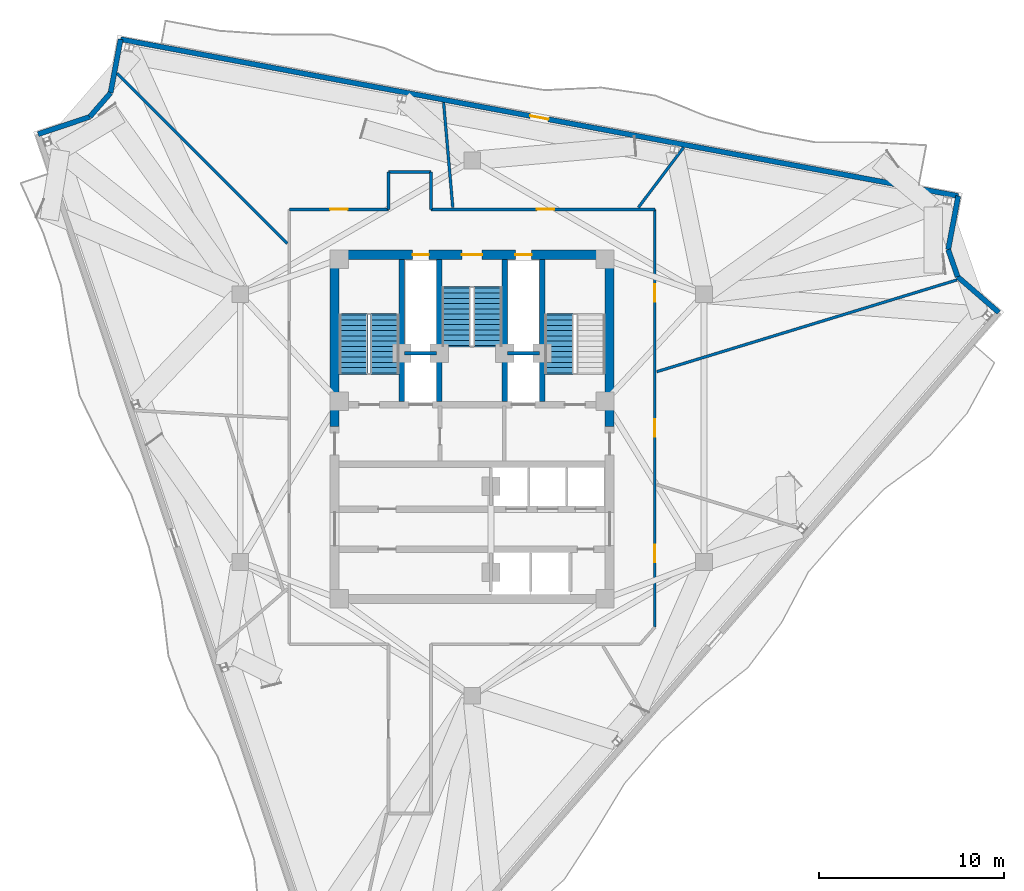
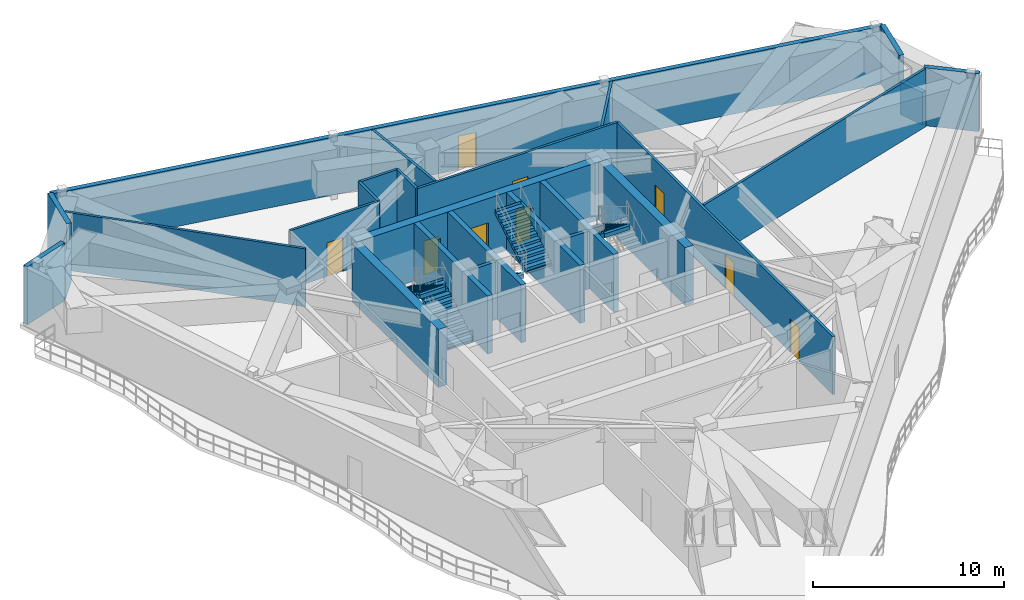
# One storey, part 6 of 10: 26 walls, 9 doors, 5 stair flights, 9 openings, 3 elements without a shape of their own.
"""IFC4 building model written with IfcOpenShell, lengths in metres."""

import ifcopenshell
import ifcopenshell.guid

model = None  # the IFC model being written
_history = None  # IfcOwnerHistory: only IFC2X3 demands one
_inside = {}  # id of a spatial element -> (the spatial element, [elements in it])
_under = {}  # id of a project, library or spatial element -> (it, [spatial elements below it])
_declared = {}  # id of a project -> (the project, [libraries it declares])
_typed = {}  # id of a type object -> (the type object, [elements of that type])
_made_of = {}  # id of a material, layer set ... -> (it, [elements and type objects made of it])


def new_model(schema):
    """Start an empty IFC model of exactly this schema.

    Asked for "IFC4X3", IfcOpenShell would pick the latest addendum, in which some entities
    have other attributes; the version numbers below select the first issue.
    IFC2X3 requires an IfcOwnerHistory on every rooted entity: one is made here for all.
    """
    global model, _history
    if schema == "IFC4X3":
        model = ifcopenshell.file(schema_version=(4, 3, 0, 0))
    else:
        model = ifcopenshell.file(schema=schema)
    _inside.clear()
    _under.clear()
    _declared.clear()
    _typed.clear()
    _made_of.clear()
    _history = None
    if model.schema == "IFC2X3":
        org = make("IfcOrganization", Name="unknown")
        user = make(
            "IfcPersonAndOrganization",
            ThePerson=make("IfcPerson", FamilyName="unknown"),
            TheOrganization=org,
        )
        app = make(
            "IfcApplication",
            ApplicationDeveloper=org,
            Version="unknown",
            ApplicationFullName="unknown",
            ApplicationIdentifier="unknown",
        )
        _history = make(
            "IfcOwnerHistory",
            OwningUser=user,
            OwningApplication=app,
            ChangeAction="ADDED",
            CreationDate=0,
        )
    return model


def make(cls, **values):
    """One entity of the class cls with the attributes given. An attribute that is None is left unset."""
    return model.create_entity(
        cls, **{name: value for name, value in values.items() if value is not None}
    )


def rooted(cls, **values):
    """An entity with a GlobalId (a new one), such as an element, a storey or a relation."""
    return make(cls, GlobalId=ifcopenshell.guid.new(), OwnerHistory=_history, **values)


def si_unit(unit_type, name, prefix=None):
    """IfcSIUnit, for example si_unit("LENGTHUNIT", "METRE", prefix="MILLI")."""
    return make("IfcSIUnit", UnitType=unit_type, Prefix=prefix, Name=name)


def assignment(units):
    """IfcUnitAssignment: the units of a project."""
    return None if units is None else make("IfcUnitAssignment", Units=units)


def point(xyz):
    """IfcCartesianPoint."""
    return None if xyz is None else make("IfcCartesianPoint", Coordinates=xyz)


def direction(xyz):
    """IfcDirection."""
    return None if xyz is None else make("IfcDirection", DirectionRatios=xyz)


def frame(location, z_axis=None, x_axis=None):
    """IfcAxis2Placement3D, a coordinate frame: its origin and axes. An axis left out is left unset."""
    return make(
        "IfcAxis2Placement3D",
        Location=point(location),
        Axis=direction(z_axis),
        RefDirection=direction(x_axis),
    )


def frame_2d(location, x_axis=None):
    """IfcAxis2Placement2D, a coordinate frame in the plane: its origin and x axis."""
    return make(
        "IfcAxis2Placement2D", Location=point(location), RefDirection=direction(x_axis)
    )


def origin():
    """The frame at (0, 0, 0) with its axes left unset."""
    return frame((0.0, 0.0, 0.0))


def place(relative_to, where):
    """IfcLocalPlacement: puts the frame where relative to a parent placement (None: the world)."""
    return make(
        "IfcLocalPlacement", PlacementRelTo=relative_to, RelativePlacement=where
    )


def context(
    kind, dimensions, precision=None, world=None, true_north=None, identifier=None
):
    """IfcGeometricRepresentationContext, for example the 3D "Model" context."""
    return make(
        "IfcGeometricRepresentationContext",
        ContextIdentifier=identifier,
        ContextType=kind,
        CoordinateSpaceDimension=dimensions,
        Precision=precision,
        WorldCoordinateSystem=world,
        TrueNorth=true_north,
    )


def subcontext(parent, identifier, kind, view, scale=None):
    """IfcGeometricRepresentationSubContext, for example "Body" below "Model"."""
    return make(
        "IfcGeometricRepresentationSubContext",
        ContextIdentifier=identifier,
        ContextType=kind,
        ParentContext=parent,
        TargetScale=scale,
        TargetView=view,
    )


def project(units=None, contexts=None):
    """IfcProject with its units and contexts."""
    return rooted(
        "IfcProject",
        Name="project",
        RepresentationContexts=contexts,
        UnitsInContext=assignment(units),
    )


def spatial(cls, under=None, at=None, **own):
    """A site, building, storey or space (cls), placed at a placement, below another one or the project."""
    s = rooted(cls, ObjectPlacement=at, **own)
    if under is not None:
        _under.setdefault(under.id(), (under, []))[1].append(s)
    return s


def polyline(points):
    """IfcPolyline through the points."""
    return make("IfcPolyline", Points=[point(p) for p in points])


def profile(cls, at=None, kind="AREA", **sizes):
    """A parametric profile (cls). Its sizes go by their IFC names, for example OverallWidth=200.0."""
    return make(cls, ProfileType=kind, Position=at, **sizes)


def rectangle(**sizes):
    """IfcRectangleProfileDef."""
    return profile("IfcRectangleProfileDef", **sizes)


def outline(outer, holes=None, kind="AREA"):
    """IfcArbitraryClosedProfileDef: a profile drawn as a closed curve; with holes, ...WithVoids."""
    if holes is None:
        return make("IfcArbitraryClosedProfileDef", ProfileType=kind, OuterCurve=outer)
    return make(
        "IfcArbitraryProfileDefWithVoids",
        ProfileType=kind,
        OuterCurve=outer,
        InnerCurves=holes,
    )


def extrude(swept, where, along, depth):
    """IfcExtrudedAreaSolid: the profile swept, set in the frame where, extruded along a direction by depth."""
    return make(
        "IfcExtrudedAreaSolid",
        SweptArea=swept,
        Position=where,
        ExtrudedDirection=direction(along),
        Depth=depth,
    )


def shape(context_of_items, identifier, shape_type, items):
    """IfcShapeRepresentation: the items that make up one representation, for example the "Body"."""
    return make(
        "IfcShapeRepresentation",
        ContextOfItems=context_of_items,
        RepresentationIdentifier=identifier,
        RepresentationType=shape_type,
        Items=items,
    )


def material(Name=None, Category=None):
    """IfcMaterial."""
    return make("IfcMaterial", Name=Name, Category=Category)


def layer(
    of_material, thickness, ventilated=None, Name=None, Category=None, Priority=None
):
    """IfcMaterialLayer: one layer of a wall or slab, of a material (None: an air gap)."""
    return make(
        "IfcMaterialLayer",
        Material=of_material,
        LayerThickness=thickness,
        IsVentilated=ventilated,
        Name=Name,
        Category=Category,
        Priority=Priority,
    )


def layer_set(layers, Name=None):
    """IfcMaterialLayerSet."""
    return make("IfcMaterialLayerSet", MaterialLayers=layers, LayerSetName=Name)


def made_of(thing, what):
    """Note that an element or type object is made of a material, layer set ...; save() writes the relation."""
    if what is not None:
        _made_of.setdefault(what.id(), (what, []))[1].append(thing)
    return thing


def type_object(cls, material=None, **own):
    """A type object (cls), such as IfcWallType, which elements share."""
    return made_of(rooted(cls, **own), material)


def element(
    cls,
    number,
    at=None,
    inside=None,
    cuts=None,
    type_object=None,
    material=None,
    context=None,
    identifier="Body",
    shape_type=None,
    held_by="IfcProductDefinitionShape",
    body=None,
    shapes=None,
    **own,
):
    """One element of the class cls, such as IfcWall. Its Tag is "e" and its number.

    at: its placement. inside: the storey or other place that contains it. cuts: it is an
    opening in that element (IfcRelVoidsElement). A single representation is given by context,
    identifier, shape_type and body (its items); several are given by shapes. held_by: the class
    of the entity that holds the representations. save() writes the other relations.
    """
    e = rooted(cls, Tag="e%d" % number, ObjectPlacement=at, **own)
    if body is not None:
        shapes = [shape(context, identifier, shape_type, body)]
    if shapes is not None:
        e.Representation = make(held_by, Representations=shapes)
    if inside is not None:
        _inside.setdefault(inside.id(), (inside, []))[1].append(e)
    if cuts is not None:
        rooted(
            "IfcRelVoidsElement", RelatingBuildingElement=cuts, RelatedOpeningElement=e
        )
    if type_object is not None:
        _typed.setdefault(type_object.id(), (type_object, []))[1].append(e)
    return made_of(e, material)


def fill(opening, filler):
    """IfcRelFillsElement: the door or window that sits in an opening."""
    return rooted(
        "IfcRelFillsElement",
        RelatingOpeningElement=opening,
        RelatedBuildingElement=filler,
    )


def aggregate(whole, parts):
    """IfcRelAggregates: a whole, such as a stair, and the parts it consists of."""
    return rooted("IfcRelAggregates", RelatingObject=whole, RelatedObjects=parts)


def save(model, path):
    """Write the relations noted so far, then the file.

    IfcRelAggregates (storeys below a building ...), IfcRelContainedInSpatialStructure (elements
    in a storey), IfcRelDefinesByType, IfcRelAssociatesMaterial and IfcRelDeclares: one each for
    every whole, place, type object, material and project.
    """
    for whole, parts in _under.values():
        aggregate(whole, parts)
    for where, things in _inside.values():
        rooted(
            "IfcRelContainedInSpatialStructure",
            RelatedElements=things,
            RelatingStructure=where,
        )
    for kind, things in _typed.values():
        rooted("IfcRelDefinesByType", RelatedObjects=things, RelatingType=kind)
    for what, things in _made_of.values():
        rooted("IfcRelAssociatesMaterial", RelatedObjects=things, RelatingMaterial=what)
    for by, libraries in _declared.values():
        rooted("IfcRelDeclares", RelatingContext=by, RelatedDefinitions=libraries)
    model.write(path)


model = new_model("IFC4")

# Units and contexts
model_context = context("Model", 3, precision=1e-05, world=origin(), true_north=direction((0.0, 1.0)))
body_context = subcontext(model_context, "Body", "Model", "MODEL_VIEW")
ifc_project = project(units=[si_unit("LENGTHUNIT", "METRE"), si_unit("AREAUNIT", "SQUARE_METRE"), si_unit("VOLUMEUNIT", "CUBIC_METRE"), si_unit("PLANEANGLEUNIT", "RADIAN"), si_unit("MASSUNIT", "GRAM", prefix="KILO")], contexts=[model_context])

# Site, building, storey
site_placement = place(None, origin())
site = spatial("IfcSite", under=ifc_project, at=site_placement, CompositionType="ELEMENT")
building_placement = place(site_placement, origin())
building = spatial("IfcBuilding", under=site, at=building_placement, Name="Apsidion Concourse Tower", CompositionType="ELEMENT")
storey_placement = place(building_placement, frame((0.0, 0.0, 290.10009765625)))
storey = spatial("IfcBuildingStorey", under=building, at=storey_placement, Name="L68", CompositionType="ELEMENT", Elevation=290.10009765625)

# Wall, opening, door
ifc_material_1 = material(Name="Precast concrete C40/50", Category="concrete")
ifc_layer_1 = layer(ifc_material_1, 0.280029296875)
ifc_layer_set_1 = layer_set([ifc_layer_1], Name="Precast concrete C40/50")
wall_type_1 = type_object("IfcWallType", Name="WL-EXT-280", PredefinedType="STANDARD", material=ifc_layer_set_1)
wall_1_placement = place(storey_placement, frame((-19.04150390625, 21.06640625, 0.0), z_axis=(0.0, 0.0, 1.0), x_axis=(0.982948140881, -0.183882985453, 0.0)))
wall_1 = element("IfcWall", 1, at=wall_1_placement, inside=storey, type_object=wall_type_1, Name="L68 Precast Stone Facade Wall 01", PredefinedType="STANDARD", context=body_context, shape_type="SweptSolid", body=[
    extrude(rectangle(XDim=46.16259765625, YDim=0.280029296875, at=frame_2d((23.081298828125, 0.0))), origin(), (0.0, 0.0, 1.0), 3.699951171875),
])
opening_1_placement = place(wall_1_placement, frame((22.581298828125, 0.0, 0.0)))
opening_1 = element("IfcOpeningElement", 2, at=opening_1_placement, cuts=wall_1, Name="Opening D-T1L", PredefinedType="OPENING", context=body_context, shape_type="SweptSolid", body=[
    extrude(rectangle(XDim=1.0, YDim=2.14990234375, at=frame_2d((0.5, 1.074951171875))), frame((0.0, 0.14990234375, 0.0), z_axis=(0.0, -1.0, 0.0), x_axis=(1.0, 0.0, 0.0)), (0.0, 0.0, 1.0), 0.300048828125),
])
ifc_material_2 = material(Name="Anodised aluminium EN AW-6063 T6", Category="aluminium")
door_type_1 = type_object("IfcDoorType", Name="DR-TER-1022L", OperationType="SINGLE_SWING_LEFT", PredefinedType="DOOR", material=ifc_material_2)
door_1_placement = place(opening_1_placement, origin())
door_1 = element("IfcDoor", 3, at=door_1_placement, inside=storey, type_object=door_type_1, Name="L68 Balcony Access Door 3", OperationType="SINGLE_SWING_LEFT", OverallHeight=2.14990234375, OverallWidth=1.0, PredefinedType="DOOR", context=body_context, shape_type="SweptSolid", body=[
    extrude(rectangle(XDim=1.0, YDim=2.14990234375, at=frame_2d((0.5, 1.074951171875))), frame((0.0, 0.02490234375, 0.0), z_axis=(0.0, -1.0, 0.0), x_axis=(1.0, 0.0, 0.0)), (0.0, 0.0, 1.0), 0.050048828125),
])
fill(opening_1, door_1)

# Walls
wall_2_placement = place(storey_placement, frame((26.333984375, 12.577880859375, 0.0), z_axis=(0.0, 0.0, 1.0), x_axis=(-0.183929325972, -0.982939470694, 0.0)))
element("IfcWall", 4, at=wall_2_placement, inside=storey, type_object=wall_type_1, Name="L68 Precast Stone Facade Wall 02", PredefinedType="STANDARD", context=body_context, shape_type="SweptSolid", body=[
    extrude(rectangle(XDim=2.95458984375, YDim=0.280029296875, at=frame_2d((1.477294921875, 0.0))), origin(), (0.0, 0.0, 1.0), 3.699951171875),
])
wall_3_placement = place(storey_placement, frame((25.79052734375, 9.673583984375, 0.0), z_axis=(0.0, 0.0, 1.0), x_axis=(0.328922695325, -0.944356850189, 0.0)))
element("IfcWall", 5, at=wall_3_placement, inside=storey, type_object=wall_type_1, Name="L68 Precast Stone Facade Wall 03", PredefinedType="STANDARD", context=body_context, shape_type="SweptSolid", body=[
    extrude(rectangle(XDim=1.55419921875, YDim=0.280029296875, at=frame_2d((0.777099609375, 0.0))), origin(), (0.0, 0.0, 1.0), 2.079833984375),
])
wall_4_placement = place(storey_placement, frame((26.3017578125, 8.205810546875, 0.0), z_axis=(0.0, 0.0, 1.0), x_axis=(0.754717590568, -0.656049814028, 0.0)))
element("IfcWall", 6, at=wall_4_placement, inside=storey, type_object=wall_type_1, Name="L68 Precast Stone Facade Wall 04", PredefinedType="STANDARD", context=body_context, shape_type="SweptSolid", body=[
    extrude(rectangle(XDim=2.954345703125, YDim=0.280029296875, at=frame_2d((1.47705078125, 0.0))), origin(), (0.0, 0.0, 1.0), 3.699951171875),
])
wall_5_placement = place(storey_placement, frame((-23.511474609375, 15.92431640625, 0.0), z_axis=(0.0, 0.0, 1.0), x_axis=(0.9478040536, 0.31885337693, 0.0)))
element("IfcWall", 7, at=wall_5_placement, inside=storey, type_object=wall_type_1, Name="L68 Precast Stone Facade Wall 10", PredefinedType="STANDARD", context=body_context, shape_type="SweptSolid", body=[
    extrude(rectangle(XDim=2.95556640625, YDim=0.280029296875, at=frame_2d((1.477783203125, 0.0))), origin(), (0.0, 0.0, 1.0), 3.699951171875),
])
wall_6_placement = place(storey_placement, frame((-20.710205078125, 16.86669921875, 0.0), z_axis=(0.0, 0.0, 1.0), x_axis=(0.656062411204, 0.754706640096, 0.0)))
element("IfcWall", 8, at=wall_6_placement, inside=storey, type_object=wall_type_1, Name="L68 Precast Stone Facade Wall 11", PredefinedType="STANDARD", context=body_context, shape_type="SweptSolid", body=[
    extrude(rectangle(XDim=1.715087890625, YDim=0.280029296875, at=frame_2d((0.857421875, 0.0))), origin(), (0.0, 0.0, 1.0), 2.079833984375),
])
wall_7_placement = place(storey_placement, frame((-19.5849609375, 18.1611328125, 0.0), z_axis=(0.0, 0.0, 1.0), x_axis=(0.183869591509, 0.982950646431, 0.0)))
element("IfcWall", 9, at=wall_7_placement, inside=storey, type_object=wall_type_1, Name="L68 Precast Stone Facade Wall 12", PredefinedType="STANDARD", context=body_context, shape_type="SweptSolid", body=[
    extrude(rectangle(XDim=2.95556640625, YDim=0.280029296875, at=frame_2d((1.477783203125, 0.0))), origin(), (0.0, 0.0, 1.0), 3.699951171875),
])

# Wall, opening, door
ifc_material_3 = material(Name="Gypsum plasterboard partition")
ifc_layer_2 = layer(ifc_material_3, 0.14990234375)
ifc_layer_set_2 = layer_set([ifc_layer_2], Name="Gypsum plasterboard partition")
wall_type_2 = type_object("IfcWallType", Name="WL-INT-PAR-150", PredefinedType="PARTITIONING", material=ifc_layer_set_2)
wall_8_placement = place(storey_placement, frame((-9.89990234375, 11.85009765625, 0.0), z_axis=(0.0, 0.0, 1.0), x_axis=(1.0, 0.0, 0.0)))
wall_8 = element("IfcWall", 10, at=wall_8_placement, inside=storey, type_object=wall_type_2, Name="L68 Interior Partition WL-L68-CORR-03", PredefinedType="PARTITIONING", context=body_context, shape_type="SweptSolid", body=[
    extrude(rectangle(XDim=5.369873046875, YDim=0.14990234375, at=frame_2d((2.68505859375, 0.0))), origin(), (0.0, 0.0, 1.0), 3.699951171875),
])
opening_2_placement = place(wall_8_placement, frame((2.2099609375, 0.0, 0.0)))
opening_2 = element("IfcOpeningElement", 11, at=opening_2_placement, cuts=wall_8, Name="Opening D-01R", PredefinedType="OPENING", context=body_context, shape_type="SweptSolid", body=[
    extrude(rectangle(XDim=0.949951171875, YDim=2.14990234375, at=frame_2d((0.47509765625, 1.074951171875))), frame((0.0, 0.0849609375, 0.0), z_axis=(0.0, -1.0, 0.0), x_axis=(1.0, 0.0, 0.0)), (0.0, 0.0, 1.0), 0.169921875),
])
ifc_material_4 = material(Name="Brushed stainless steel 316", Category="steel")
door_type_2 = type_object("IfcDoorType", Name="DR-INT-D01R", OperationType="SINGLE_SWING_RIGHT", PredefinedType="DOOR", material=ifc_material_4)
door_2_placement = place(opening_2_placement, origin())
door_2 = element("IfcDoor", 12, at=door_2_placement, inside=storey, type_object=door_type_2, Name="L68 Corridor Entry Door 08", OperationType="SINGLE_SWING_RIGHT", OverallHeight=2.14990234375, OverallWidth=0.949951171875, PredefinedType="DOOR", context=body_context, shape_type="SweptSolid", body=[
    extrude(rectangle(XDim=0.949951171875, YDim=2.14990234375, at=frame_2d((0.47509765625, 1.074951171875))), frame((0.0, 0.02490234375, 0.0), z_axis=(0.0, -1.0, 0.0), x_axis=(1.0, 0.0, 0.0)), (0.0, 0.0, 1.0), 0.050048828125),
])
fill(opening_2, door_2)

# Walls
wall_9_placement = place(storey_placement, frame((-4.530029296875, 11.85009765625, 0.0), z_axis=(0.0, 0.0, 1.0), x_axis=(0.0, 1.0, 0.0)))
element("IfcWall", 13, at=wall_9_placement, inside=storey, type_object=wall_type_2, Name="L68 Interior Partition WL-L68-CORR-04", PredefinedType="PARTITIONING", context=body_context, shape_type="SweptSolid", body=[
    extrude(rectangle(XDim=2.02978515625, YDim=0.14990234375, at=frame_2d((1.014892578125, 0.0))), origin(), (0.0, 0.0, 1.0), 3.699951171875),
])
wall_10_placement = place(storey_placement, frame((-4.530029296875, 13.8798828125, 0.0), z_axis=(0.0, 0.0, 1.0), x_axis=(1.0, 0.0, 0.0)))
element("IfcWall", 14, at=wall_10_placement, inside=storey, type_object=wall_type_2, Name="L68 Interior Partition WL-L68-CORR-05", PredefinedType="PARTITIONING", context=body_context, shape_type="SweptSolid", body=[
    extrude(rectangle(XDim=2.31005859375, YDim=0.14990234375, at=frame_2d((1.155029296875, 0.0))), origin(), (0.0, 0.0, 1.0), 3.699951171875),
])
wall_11_placement = place(storey_placement, frame((-2.219970703125, 13.8798828125, 0.0), z_axis=(0.0, 0.0, 1.0), x_axis=(0.0, -1.0, 0.0)))
element("IfcWall", 15, at=wall_11_placement, inside=storey, type_object=wall_type_2, Name="L68 Interior Partition WL-L68-CORR-06", PredefinedType="PARTITIONING", context=body_context, shape_type="SweptSolid", body=[
    extrude(rectangle(XDim=2.02978515625, YDim=0.14990234375, at=frame_2d((1.014892578125, 0.0))), origin(), (0.0, 0.0, 1.0), 3.699951171875),
])

# Wall, opening, door
wall_12_placement = place(storey_placement, frame((-2.219970703125, 11.85009765625, 0.0), z_axis=(0.0, 0.0, 1.0), x_axis=(1.0, 0.0, 0.0)))
wall_12 = element("IfcWall", 16, at=wall_12_placement, inside=storey, type_object=wall_type_2, Name="L68 Interior Partition WL-L68-CORR-07", PredefinedType="PARTITIONING", context=body_context, shape_type="SweptSolid", body=[
    extrude(rectangle(XDim=12.119873046875, YDim=0.14990234375, at=frame_2d((6.06005859375, 0.0))), origin(), (0.0, 0.0, 1.0), 3.699951171875),
])
opening_3_placement = place(wall_12_placement, frame((5.726806640625, 0.0, 0.0)))
opening_3 = element("IfcOpeningElement", 17, at=opening_3_placement, cuts=wall_12, Name="Opening D-01L", PredefinedType="OPENING", context=body_context, shape_type="SweptSolid", body=[
    extrude(rectangle(XDim=0.949951171875, YDim=2.14990234375, at=frame_2d((0.47509765625, 1.074951171875))), frame((0.0, 0.0849609375, 0.0), z_axis=(0.0, -1.0, 0.0), x_axis=(1.0, 0.0, 0.0)), (0.0, 0.0, 1.0), 0.169921875),
])
door_type_3 = type_object("IfcDoorType", Name="DR-INT-D01L", OperationType="SINGLE_SWING_LEFT", PredefinedType="DOOR", material=ifc_material_4)
door_3_placement = place(opening_3_placement, origin())
door_3 = element("IfcDoor", 18, at=door_3_placement, inside=storey, type_object=door_type_3, Name="L68 Corridor Entry Door 07", OperationType="SINGLE_SWING_LEFT", OverallHeight=2.14990234375, OverallWidth=0.949951171875, PredefinedType="DOOR", context=body_context, shape_type="SweptSolid", body=[
    extrude(rectangle(XDim=0.949951171875, YDim=2.14990234375, at=frame_2d((0.47509765625, 1.074951171875))), frame((0.0, 0.02490234375, 0.0), z_axis=(0.0, -1.0, 0.0), x_axis=(1.0, 0.0, 0.0)), (0.0, 0.0, 1.0), 0.050048828125),
])
fill(opening_3, door_3)

# Wall, openings, doors
wall_13_placement = place(storey_placement, frame((9.89990234375, 11.85009765625, 0.0), z_axis=(0.0, 0.0, 1.0), x_axis=(0.0, -1.0, 0.0)))
wall_13 = element("IfcWall", 19, at=wall_13_placement, inside=storey, type_object=wall_type_2, Name="L68 Interior Partition WL-L68-CORR-08", PredefinedType="PARTITIONING", context=body_context, shape_type="SweptSolid", body=[
    extrude(rectangle(XDim=22.633544921875, YDim=0.14990234375, at=frame_2d((11.31689453125, 0.0))), origin(), (0.0, 0.0, 1.0), 3.699951171875),
])
opening_4_placement = place(wall_13_placement, frame((18.166015625, 0.0, 0.0)))
opening_4 = element("IfcOpeningElement", 20, at=opening_4_placement, cuts=wall_13, Name="Opening D-01R", PredefinedType="OPENING", context=body_context, shape_type="SweptSolid", body=[
    extrude(rectangle(XDim=0.949951171875, YDim=2.14990234375, at=frame_2d((0.47509765625, 1.074951171875))), frame((0.0, 0.0849609375, 0.0), z_axis=(0.0, -1.0, 0.0), x_axis=(1.0, 0.0, 0.0)), (0.0, 0.0, 1.0), 0.169921875),
])
opening_5_placement = place(wall_13_placement, frame((11.3759765625, 0.0, 0.0)))
opening_5 = element("IfcOpeningElement", 21, at=opening_5_placement, cuts=wall_13, Name="Opening D-01L", PredefinedType="OPENING", context=body_context, shape_type="SweptSolid", body=[
    extrude(rectangle(XDim=0.949951171875, YDim=2.14990234375, at=frame_2d((0.47509765625, 1.074951171875))), frame((0.0, 0.0849609375, 0.0), z_axis=(0.0, -1.0, 0.0), x_axis=(1.0, 0.0, 0.0)), (0.0, 0.0, 1.0), 0.169921875),
])
opening_6_placement = place(wall_13_placement, frame((4.04931640625, 0.0, 0.0)))
opening_6 = element("IfcOpeningElement", 22, at=opening_6_placement, cuts=wall_13, Name="Opening D-01R", PredefinedType="OPENING", context=body_context, shape_type="SweptSolid", body=[
    extrude(rectangle(XDim=0.949951171875, YDim=2.14990234375, at=frame_2d((0.47509765625, 1.074951171875))), frame((0.0, 0.0849609375, 0.0), z_axis=(0.0, -1.0, 0.0), x_axis=(1.0, 0.0, 0.0)), (0.0, 0.0, 1.0), 0.169921875),
])
door_4_placement = place(opening_5_placement, origin())
door_4 = element("IfcDoor", 23, at=door_4_placement, inside=storey, type_object=door_type_3, Name="L68 Corridor Entry Door 05", OperationType="SINGLE_SWING_LEFT", OverallHeight=2.14990234375, OverallWidth=0.949951171875, PredefinedType="DOOR", context=body_context, shape_type="SweptSolid", body=[
    extrude(rectangle(XDim=0.949951171875, YDim=2.14990234375, at=frame_2d((0.47509765625, 1.074951171875))), frame((0.0, 0.02490234375, 0.0), z_axis=(0.0, -1.0, 0.0), x_axis=(1.0, 0.0, 0.0)), (0.0, 0.0, 1.0), 0.050048828125),
])
fill(opening_5, door_4)
door_5_placement = place(opening_4_placement, origin())
door_5 = element("IfcDoor", 24, at=door_5_placement, inside=storey, type_object=door_type_2, Name="L68 Corridor Entry Door 04", OperationType="SINGLE_SWING_RIGHT", OverallHeight=2.14990234375, OverallWidth=0.949951171875, PredefinedType="DOOR", context=body_context, shape_type="SweptSolid", body=[
    extrude(rectangle(XDim=0.949951171875, YDim=2.14990234375, at=frame_2d((0.47509765625, 1.074951171875))), frame((0.0, 0.02490234375, 0.0), z_axis=(0.0, -1.0, 0.0), x_axis=(1.0, 0.0, 0.0)), (0.0, 0.0, 1.0), 0.050048828125),
])
fill(opening_4, door_5)
door_6_placement = place(opening_6_placement, origin())
door_6 = element("IfcDoor", 25, at=door_6_placement, inside=storey, type_object=door_type_2, Name="L68 Corridor Entry Door 06", OperationType="SINGLE_SWING_RIGHT", OverallHeight=2.14990234375, OverallWidth=0.949951171875, PredefinedType="DOOR", context=body_context, shape_type="SweptSolid", body=[
    extrude(rectangle(XDim=0.949951171875, YDim=2.14990234375, at=frame_2d((0.47509765625, 1.074951171875))), frame((0.0, 0.02490234375, 0.0), z_axis=(0.0, -1.0, 0.0), x_axis=(1.0, 0.0, 0.0)), (0.0, 0.0, 1.0), 0.050048828125),
])
fill(opening_6, door_6)

# Walls
wall_14_placement = place(storey_placement, frame((10.0048828125, 3.058837890625, 0.0), z_axis=(0.0, 0.0, 1.0), x_axis=(0.956303634786, 0.292375371902, 0.0)))
element("IfcWall", 26, at=wall_14_placement, inside=storey, type_object=wall_type_2, Name="L68 Interior Partition WL-L68-RAD-01-1", PredefinedType="PARTITIONING", context=body_context, shape_type="SweptSolid", body=[
    extrude(rectangle(XDim=17.00537109375, YDim=0.14990234375, at=frame_2d((8.502685546875, 0.0))), origin(), (0.0, 0.0, 1.0), 3.699951171875),
])
wall_15_placement = place(storey_placement, frame((9.0087890625, 11.955078125, 0.0), z_axis=(0.0, 0.0, 1.0), x_axis=(0.601813620509, 0.798636567013, 0.0)))
element("IfcWall", 27, at=wall_15_placement, inside=storey, type_object=wall_type_2, Name="L68 Interior Partition WL-L68-RAD-02-1", PredefinedType="PARTITIONING", context=body_context, shape_type="SweptSolid", body=[
    extrude(rectangle(XDim=4.0673828125, YDim=0.14990234375, at=frame_2d((2.03369140625, 0.0))), origin(), (0.0, 0.0, 1.0), 3.699951171875),
])
wall_16_placement = place(storey_placement, frame((-1.0458984375, 11.955078125, 0.0), z_axis=(0.0, 0.0, 1.0), x_axis=(-0.087176511024, 0.996192880885, 0.0)))
element("IfcWall", 28, at=wall_16_placement, inside=storey, type_object=wall_type_2, Name="L68 Interior Partition WL-L68-RAD-03-1", PredefinedType="PARTITIONING", context=body_context, shape_type="SweptSolid", body=[
    extrude(rectangle(XDim=5.701904296875, YDim=0.14990234375, at=frame_2d((2.85107421875, 0.0))), origin(), (0.0, 0.0, 1.0), 3.699951171875),
])
wall_17_placement = place(storey_placement, frame((-10.0048828125, 10.0048828125, 0.0), z_axis=(0.0, 0.0, 1.0), x_axis=(-0.707106781187, 0.707106781187, 0.0)))
element("IfcWall", 29, at=wall_17_placement, inside=storey, type_object=wall_type_2, Name="L68 Interior Partition WL-L68-RAD-04-1", PredefinedType="PARTITIONING", context=body_context, shape_type="SweptSolid", body=[
    extrude(rectangle(XDim=13.043212890625, YDim=0.14990234375, at=frame_2d((6.521484375, 0.0))), origin(), (0.0, 0.0, 1.0), 3.699951171875),
])
ifc_layer_3 = layer(ifc_material_3, 0.199951171875)
ifc_layer_set_3 = layer_set([ifc_layer_3], Name="Gypsum plasterboard partition")
wall_type_3 = type_object("IfcWallType", Name="WL-INT-PAR-200", PredefinedType="PARTITIONING", material=ifc_layer_set_3)
for number, where, z_axis, x_axis, name in (
    (30, (-3.64990234375, 4.050048828125, 0.0), (0.0, 0.0, 1.0), (1.0, 0.0, 0.0), "L68 Interior Partition WL-L68-FF1-N"),
    (31, (1.919921875, 4.050048828125, 0.0), (0.0, 0.0, 1.0), (1.0, 0.0, 0.0), "L68 Interior Partition WL-L68-FF2-N"),
):
    element("IfcWall", number, at=place(storey_placement, frame(where, z_axis=z_axis, x_axis=x_axis)), inside=storey, type_object=wall_type_3, Name=name, PredefinedType="PARTITIONING", context=body_context, shape_type="SweptSolid", body=[
        extrude(rectangle(XDim=1.72998046875, YDim=0.199951171875, at=frame_2d((0.864990234375, 0.0))), origin(), (0.0, 0.0, 1.0), 3.699951171875),
    ])
ifc_material_5 = material(Name="Concrete C50/60", Category="concrete")
ifc_layer_4 = layer(ifc_material_5, 0.300048828125)
ifc_layer_set_4 = layer_set([ifc_layer_4], Name="Concrete C50/60")
wall_type_4 = type_object("IfcWallType", Name="WL-SH-300", PredefinedType="SHEAR", material=ifc_layer_set_4)
for number, where, z_axis, x_axis, name in (
    (32, (-3.800048828125, 1.449951171875, 0.0), (0.0, 0.0, 1.0), (0.0, 1.0, 0.0), "L68 Central Core Shear Wall V1"),
    (33, (-1.77490234375, 1.449951171875, 0.0), (0.0, 0.0, 1.0), (0.0, 1.0, 0.0), "L68 Central Core Shear Wall V2"),
    (34, (1.77490234375, 1.449951171875, 0.0), (0.0, 0.0, 1.0), (0.0, 1.0, 0.0), "L68 Central Core Shear Wall V3"),
    (35, (3.800048828125, 1.449951171875, 0.0), (0.0, 0.0, 1.0), (0.0, 1.0, 0.0), "L68 Central Core Shear Wall V4"),
):
    element("IfcWall", number, at=place(storey_placement, frame(where, z_axis=z_axis, x_axis=x_axis)), inside=storey, type_object=wall_type_4, Name=name, PredefinedType="SHEAR", context=body_context, shape_type="SweptSolid", body=[
        extrude(rectangle(XDim=7.699951171875, YDim=0.300048828125, at=frame_2d((3.85009765625, 0.0))), origin(), (0.0, 0.0, 1.0), 3.699951171875),
    ])

# Wall, openings, doors
ifc_layer_5 = layer(ifc_material_5, 0.5)
ifc_layer_set_5 = layer_set([ifc_layer_5], Name="Concrete C50/60")
wall_type_5 = type_object("IfcWallType", Name="WL-SH-500", PredefinedType="SHEAR", material=ifc_layer_set_5)
wall_18_placement = place(storey_placement, frame((-7.449951171875, 9.39990234375, 0.0), z_axis=(0.0, 0.0, 1.0), x_axis=(1.0, 0.0, 0.0)))
wall_18 = element("IfcWall", 36, at=wall_18_placement, inside=storey, type_object=wall_type_5, Name="L68 Central Core Shear Wall N", PredefinedType="SHEAR", context=body_context, shape_type="SweptSolid", body=[
    extrude(rectangle(XDim=14.89990234375, YDim=0.5, at=frame_2d((7.449951171875, 0.0))), origin(), (0.0, 0.0, 1.0), 3.699951171875),
])
opening_7_placement = place(wall_18_placement, frame((6.89990234375, 0.0, 0.0)))
opening_7 = element("IfcOpeningElement", 37, at=opening_7_placement, cuts=wall_18, Name="Opening D-STL", PredefinedType="OPENING", context=body_context, shape_type="SweptSolid", body=[
    extrude(rectangle(XDim=1.10009765625, YDim=2.14990234375, at=frame_2d((0.550048828125, 1.074951171875))), frame((0.0, 0.260009765625, 0.0), z_axis=(0.0, -1.0, 0.0), x_axis=(1.0, 0.0, 0.0)), (0.0, 0.0, 1.0), 0.52001953125),
])
opening_8_placement = place(wall_18_placement, frame((4.22998046875, 0.0, 0.0)))
opening_8 = element("IfcOpeningElement", 38, at=opening_8_placement, cuts=wall_18, Name="Opening D-05L", PredefinedType="OPENING", context=body_context, shape_type="SweptSolid", body=[
    extrude(rectangle(XDim=0.8798828125, YDim=2.14990234375, at=frame_2d((0.43994140625, 1.074951171875))), frame((0.0, 0.260009765625, 0.0), z_axis=(0.0, -1.0, 0.0), x_axis=(1.0, 0.0, 0.0)), (0.0, 0.0, 1.0), 0.52001953125),
])
opening_9_placement = place(wall_18_placement, frame((9.7900390625, 0.0, 0.0)))
opening_9 = element("IfcOpeningElement", 39, at=opening_9_placement, cuts=wall_18, Name="Opening D-05R", PredefinedType="OPENING", context=body_context, shape_type="SweptSolid", body=[
    extrude(rectangle(XDim=0.8798828125, YDim=2.14990234375, at=frame_2d((0.43994140625, 1.074951171875))), frame((0.0, 0.260009765625, 0.0), z_axis=(0.0, -1.0, 0.0), x_axis=(1.0, 0.0, 0.0)), (0.0, 0.0, 1.0), 0.52001953125),
])
door_type_4 = type_object("IfcDoorType", Name="DR-INT-D05L", OperationType="SINGLE_SWING_LEFT", PredefinedType="DOOR", material=ifc_material_4)
door_7_placement = place(opening_8_placement, origin())
door_7 = element("IfcDoor", 40, at=door_7_placement, inside=storey, type_object=door_type_4, Name="L68 Electrical Riser Shaft Access Door", OperationType="SINGLE_SWING_LEFT", OverallHeight=2.14990234375, OverallWidth=0.8798828125, PredefinedType="DOOR", context=body_context, shape_type="SweptSolid", body=[
    extrude(rectangle(XDim=0.8798828125, YDim=2.14990234375, at=frame_2d((0.43994140625, 1.074951171875))), frame((0.0, 0.02490234375, 0.0), z_axis=(0.0, -1.0, 0.0), x_axis=(1.0, 0.0, 0.0)), (0.0, 0.0, 1.0), 0.050048828125),
])
fill(opening_8, door_7)
door_type_5 = type_object("IfcDoorType", Name="DR-INT-D05R", OperationType="SINGLE_SWING_RIGHT", PredefinedType="DOOR", material=ifc_material_4)
door_8_placement = place(opening_9_placement, origin())
door_8 = element("IfcDoor", 41, at=door_8_placement, inside=storey, type_object=door_type_5, Name="L68 Mechanical Riser Shaft Access Door", OperationType="SINGLE_SWING_RIGHT", OverallHeight=2.14990234375, OverallWidth=0.8798828125, PredefinedType="DOOR", context=body_context, shape_type="SweptSolid", body=[
    extrude(rectangle(XDim=0.8798828125, YDim=2.14990234375, at=frame_2d((0.43994140625, 1.074951171875))), frame((0.0, 0.02490234375, 0.0), z_axis=(0.0, -1.0, 0.0), x_axis=(1.0, 0.0, 0.0)), (0.0, 0.0, 1.0), 0.050048828125),
])
fill(opening_9, door_8)
door_type_6 = type_object("IfcDoorType", Name="DR-INT-ST1L", OperationType="SINGLE_SWING_LEFT", PredefinedType="DOOR", material=ifc_material_4)
door_9_placement = place(opening_7_placement, origin())
door_9 = element("IfcDoor", 42, at=door_9_placement, inside=storey, type_object=door_type_6, Name="L68 Core Exit Stair ST3 Door", OperationType="SINGLE_SWING_LEFT", OverallHeight=2.14990234375, OverallWidth=1.10009765625, PredefinedType="DOOR", context=body_context, shape_type="SweptSolid", body=[
    extrude(rectangle(XDim=1.10009765625, YDim=2.14990234375, at=frame_2d((0.550048828125, 1.074951171875))), frame((0.0, 0.02490234375, 0.0), z_axis=(0.0, -1.0, 0.0), x_axis=(1.0, 0.0, 0.0)), (0.0, 0.0, 1.0), 0.050048828125),
])
fill(opening_7, door_9)

# Walls
for number, where, z_axis, x_axis, name in (
    (43, (-7.449951171875, 0.10009765625, 0.0), (0.0, 0.0, 1.0), (0.0, 1.0, 0.0), "L68 Central Core Shear Wall WN"),
    (44, (7.449951171875, 0.10009765625, 0.0), (0.0, 0.0, 1.0), (0.0, 1.0, 0.0), "L68 Central Core Shear Wall EN"),
):
    element("IfcWall", number, at=place(storey_placement, frame(where, z_axis=z_axis, x_axis=x_axis)), inside=storey, type_object=wall_type_5, Name=name, PredefinedType="SHEAR", context=body_context, shape_type="SweptSolid", body=[
        extrude(rectangle(XDim=9.0498046875, YDim=0.5, at=frame_2d((4.52490234375, 0.0))), origin(), (0.0, 0.0, 1.0), 3.699951171875),
    ])

# Stair, stair flights
stair_type = type_object("IfcStairType", Name="ST-DL-1550", PredefinedType="HALF_TURN_STAIR", material=ifc_material_1)
stair_1_placement = place(storey_placement, origin())
stair_1 = element("IfcStair", 45, at=stair_1_placement, inside=storey, type_object=stair_type, Name="L68 Protected Core Exit Stair ST1", PredefinedType="HALF_TURN_STAIR")
stair_flight_type = type_object("IfcStairFlightType", Name="SFL-RC-1550", PredefinedType="STRAIGHT", material=ifc_material_1)
stair_flight_1_placement = place(storey_placement, frame((-4.72509765625, 3.0, 0.0), z_axis=(0.0, 0.0, 1.0), x_axis=(0.0, 1.0, 0.0)))
stair_flight_1 = element("IfcStairFlight", 46, at=stair_flight_1_placement, type_object=stair_flight_type, Name="ST1 flight 1", NumberOfRisers=12, NumberOfTreads=11, PredefinedType="STRAIGHT", RiserHeight=0.170833333, TreadLength=0.285, context=body_context, shape_type="SweptSolid", body=[
    extrude(outline(polyline([(-0.080078125, -0.1123046875), (-0.080078125, 0.0), (0.0, 0.0), (0.0, 0.1708984375), (0.284912109375, 0.1708984375), (0.284912109375, 0.341552734375), (0.570068359375, 0.341552734375), (0.570068359375, 0.512451171875), (0.85498046875, 0.512451171875), (0.85498046875, 0.683349609375), (1.139892578125, 0.683349609375), (1.139892578125, 0.854248046875), (1.425048828125, 0.854248046875), (1.425048828125, 1.02490234375), (1.7099609375, 1.02490234375), (1.7099609375, 1.19580078125), (1.9951171875, 1.19580078125), (1.9951171875, 1.36669921875), (2.280029296875, 1.36669921875), (2.280029296875, 1.53759765625), (2.56494140625, 1.53759765625), (2.56494140625, 1.708251953125), (2.85009765625, 1.708251953125), (2.85009765625, 1.879150390625), (3.135009765625, 1.879150390625), (3.135009765625, 2.050048828125), (3.215087890625, 1.964599609375), (3.215087890625, 1.704345703125), (3.135009765625, 1.704345703125), (0.29150390625, 0.0), (0.29150390625, -0.1123046875), (-0.080078125, -0.1123046875)])), frame((0.0, 0.77490234375, 0.0), z_axis=(0.0, -1.0, 0.0), x_axis=(1.0, 0.0, 0.0)), (0.0, 0.0, 1.0), 1.550048828125),
])
stair_flight_2_placement = place(storey_placement, frame((-6.425048828125, 6.135009765625, 2.0498046875), z_axis=(0.0, 0.0, 1.0), x_axis=(0.0, -1.0, 0.0)))
stair_flight_2 = element("IfcStairFlight", 47, at=stair_flight_2_placement, type_object=stair_flight_type, Name="ST1 flight 2", NumberOfRisers=12, NumberOfTreads=11, PredefinedType="STRAIGHT", RiserHeight=0.170833333, TreadLength=0.285, context=body_context, shape_type="SweptSolid", body=[
    extrude(outline(polyline([(-0.080078125, -0.1123046875), (-0.080078125, 0.0), (0.0, 0.0), (0.0, 0.1708984375), (0.284912109375, 0.1708984375), (0.284912109375, 0.341552734375), (0.570068359375, 0.341552734375), (0.570068359375, 0.512451171875), (0.85498046875, 0.512451171875), (0.85498046875, 0.683349609375), (1.139892578125, 0.683349609375), (1.139892578125, 0.854248046875), (1.425048828125, 0.854248046875), (1.425048828125, 1.02490234375), (1.7099609375, 1.02490234375), (1.7099609375, 1.19580078125), (1.9951171875, 1.19580078125), (1.9951171875, 1.36669921875), (2.280029296875, 1.36669921875), (2.280029296875, 1.53759765625), (2.56494140625, 1.53759765625), (2.56494140625, 1.708251953125), (2.85009765625, 1.708251953125), (2.85009765625, 1.879150390625), (3.135009765625, 1.879150390625), (3.135009765625, 2.050048828125), (3.215087890625, 1.964599609375), (3.215087890625, 1.704345703125), (3.135009765625, 1.704345703125), (0.29150390625, 0.0), (0.29150390625, -0.1123046875), (-0.080078125, -0.1123046875)])), frame((0.0, 0.77490234375, 0.0), z_axis=(0.0, -1.0, 0.0), x_axis=(1.0, 0.0, 0.0)), (0.0, 0.0, 1.0), 1.550048828125),
])
aggregate(stair_1, [stair_flight_1, stair_flight_2])

# Stair, stair flight
stair_2_placement = place(storey_placement, origin())
stair_2 = element("IfcStair", 48, at=stair_2_placement, inside=storey, type_object=stair_type, Name="L68 Protected Core Exit Stair ST2", PredefinedType="HALF_TURN_STAIR")
stair_flight_3_placement = place(storey_placement, frame((4.72509765625, 6.135009765625, 2.0498046875), z_axis=(0.0, 0.0, 1.0), x_axis=(0.0, -1.0, 0.0)))
stair_flight_3 = element("IfcStairFlight", 49, at=stair_flight_3_placement, type_object=stair_flight_type, Name="ST2 flight 2", NumberOfRisers=12, NumberOfTreads=11, PredefinedType="STRAIGHT", RiserHeight=0.170833333, TreadLength=0.285, context=body_context, shape_type="SweptSolid", body=[
    extrude(outline(polyline([(-0.080078125, -0.1123046875), (-0.080078125, 0.0), (0.0, 0.0), (0.0, 0.1708984375), (0.284912109375, 0.1708984375), (0.284912109375, 0.341552734375), (0.570068359375, 0.341552734375), (0.570068359375, 0.512451171875), (0.85498046875, 0.512451171875), (0.85498046875, 0.683349609375), (1.139892578125, 0.683349609375), (1.139892578125, 0.854248046875), (1.425048828125, 0.854248046875), (1.425048828125, 1.02490234375), (1.7099609375, 1.02490234375), (1.7099609375, 1.19580078125), (1.9951171875, 1.19580078125), (1.9951171875, 1.36669921875), (2.280029296875, 1.36669921875), (2.280029296875, 1.53759765625), (2.56494140625, 1.53759765625), (2.56494140625, 1.708251953125), (2.85009765625, 1.708251953125), (2.85009765625, 1.879150390625), (3.135009765625, 1.879150390625), (3.135009765625, 2.050048828125), (3.215087890625, 1.964599609375), (3.215087890625, 1.704345703125), (3.135009765625, 1.704345703125), (0.29150390625, 0.0), (0.29150390625, -0.1123046875), (-0.080078125, -0.1123046875)])), frame((0.0, 0.77490234375, 0.0), z_axis=(0.0, -1.0, 0.0), x_axis=(1.0, 0.0, 0.0)), (0.0, 0.0, 1.0), 1.550048828125),
])
aggregate(stair_2, [stair_flight_3])

# Stair, stair flights
stair_3_placement = place(storey_placement, origin())
stair_3 = element("IfcStair", 50, at=stair_3_placement, inside=storey, type_object=stair_type, Name="L68 Protected Core Exit Stair ST3", PredefinedType="HALF_TURN_STAIR")
stair_flight_4_placement = place(storey_placement, frame((-0.85009765625, 7.60009765625, 0.0), z_axis=(0.0, 0.0, 1.0), x_axis=(0.0, -1.0, 0.0)))
stair_flight_4 = element("IfcStairFlight", 51, at=stair_flight_4_placement, type_object=stair_flight_type, Name="ST3 flight 1", NumberOfRisers=12, NumberOfTreads=11, PredefinedType="STRAIGHT", RiserHeight=0.170833333, TreadLength=0.285, context=body_context, shape_type="SweptSolid", body=[
    extrude(outline(polyline([(-0.080078125, -0.1123046875), (-0.080078125, 0.0), (0.0, 0.0), (0.0, 0.1708984375), (0.284912109375, 0.1708984375), (0.284912109375, 0.341552734375), (0.570068359375, 0.341552734375), (0.570068359375, 0.512451171875), (0.85498046875, 0.512451171875), (0.85498046875, 0.683349609375), (1.139892578125, 0.683349609375), (1.139892578125, 0.854248046875), (1.425048828125, 0.854248046875), (1.425048828125, 1.02490234375), (1.7099609375, 1.02490234375), (1.7099609375, 1.19580078125), (1.9951171875, 1.19580078125), (1.9951171875, 1.36669921875), (2.280029296875, 1.36669921875), (2.280029296875, 1.53759765625), (2.56494140625, 1.53759765625), (2.56494140625, 1.708251953125), (2.85009765625, 1.708251953125), (2.85009765625, 1.879150390625), (3.135009765625, 1.879150390625), (3.135009765625, 2.050048828125), (3.215087890625, 1.964599609375), (3.215087890625, 1.704345703125), (3.135009765625, 1.704345703125), (0.29150390625, 0.0), (0.29150390625, -0.1123046875), (-0.080078125, -0.1123046875)])), frame((0.0, 0.77490234375, 0.0), z_axis=(0.0, -1.0, 0.0), x_axis=(1.0, 0.0, 0.0)), (0.0, 0.0, 1.0), 1.550048828125),
])
stair_flight_5_placement = place(storey_placement, frame((0.85009765625, 4.465087890625, 2.0498046875), z_axis=(0.0, 0.0, 1.0), x_axis=(0.0, 1.0, 0.0)))
stair_flight_5 = element("IfcStairFlight", 52, at=stair_flight_5_placement, type_object=stair_flight_type, Name="ST3 flight 2", NumberOfRisers=12, NumberOfTreads=11, PredefinedType="STRAIGHT", RiserHeight=0.170833333, TreadLength=0.285, context=body_context, shape_type="SweptSolid", body=[
    extrude(outline(polyline([(-0.080078125, -0.1123046875), (-0.080078125, 0.0), (0.0, 0.0), (0.0, 0.1708984375), (0.284912109375, 0.1708984375), (0.284912109375, 0.341552734375), (0.570068359375, 0.341552734375), (0.570068359375, 0.512451171875), (0.85498046875, 0.512451171875), (0.85498046875, 0.683349609375), (1.139892578125, 0.683349609375), (1.139892578125, 0.854248046875), (1.425048828125, 0.854248046875), (1.425048828125, 1.02490234375), (1.7099609375, 1.02490234375), (1.7099609375, 1.19580078125), (1.9951171875, 1.19580078125), (1.9951171875, 1.36669921875), (2.280029296875, 1.36669921875), (2.280029296875, 1.53759765625), (2.56494140625, 1.53759765625), (2.56494140625, 1.708251953125), (2.85009765625, 1.708251953125), (2.85009765625, 1.879150390625), (3.135009765625, 1.879150390625), (3.135009765625, 2.050048828125), (3.215087890625, 1.964599609375), (3.215087890625, 1.704345703125), (3.135009765625, 1.704345703125), (0.29150390625, 0.0), (0.29150390625, -0.1123046875), (-0.080078125, -0.1123046875)])), frame((0.0, 0.77490234375, 0.0), z_axis=(0.0, -1.0, 0.0), x_axis=(1.0, 0.0, 0.0)), (0.0, 0.0, 1.0), 1.550048828125),
])
aggregate(stair_3, [stair_flight_4, stair_flight_5])

save(model, "model.ifc")
